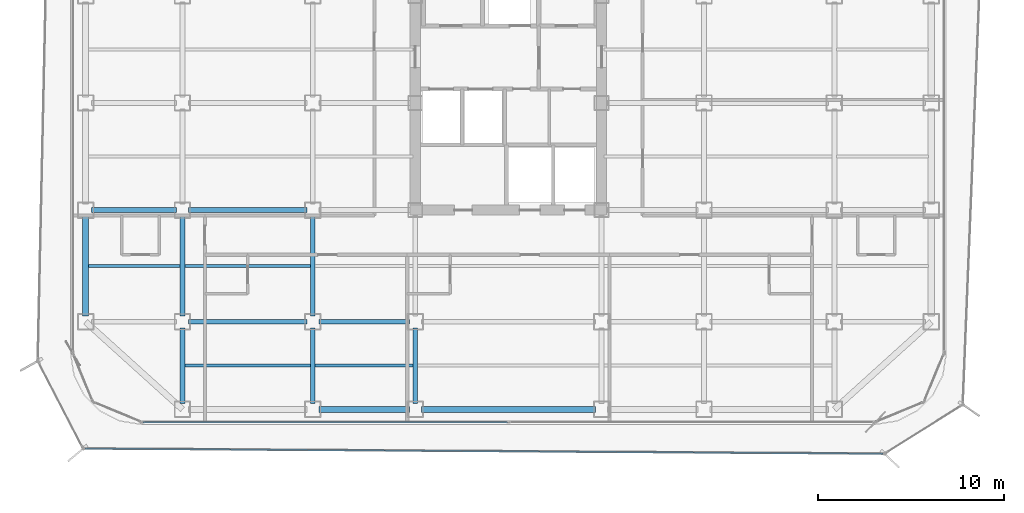
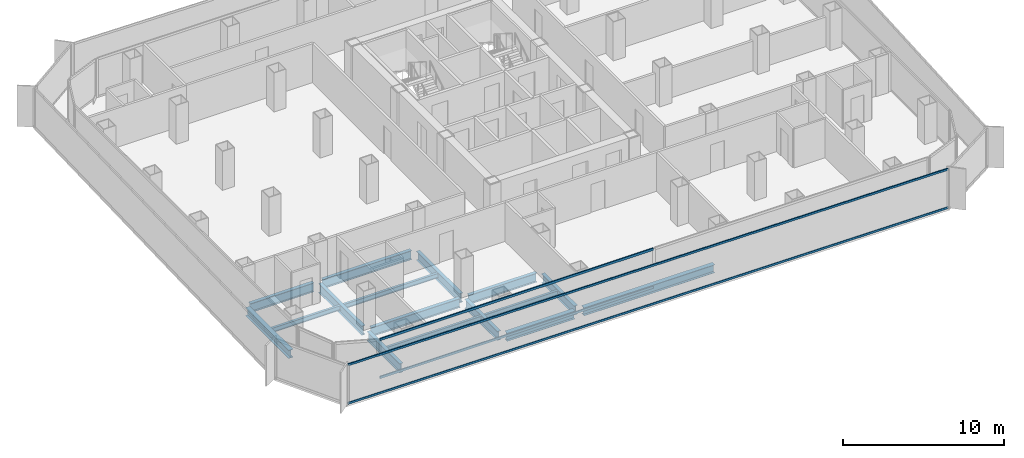
# One storey, part 3 of 21: 16 beams, 4 members, 2 elements without a shape of their own.
"""IFC4 building model written with IfcOpenShell, lengths in metres."""

from ifc_helpers import new_model, si_unit, direction, frame, origin, origin_2d, place, context, subcontext, project, spatial, hollow_rectangle, i_section, extrude, source, transform, mapped, material, layer, layer_set, material_profile, profile_set, type_object, element, aggregate, save


model = new_model("IFC4")

# Units and contexts
model_context = context("Model", 3, precision=1e-05, world=origin(), true_north=direction((0.0, 1.0)))
body_context = subcontext(model_context, "Body", "Model", "MODEL_VIEW")
ifc_project = project(units=[si_unit("LENGTHUNIT", "METRE"), si_unit("AREAUNIT", "SQUARE_METRE"), si_unit("VOLUMEUNIT", "CUBIC_METRE"), si_unit("PLANEANGLEUNIT", "RADIAN"), si_unit("MASSUNIT", "GRAM", prefix="KILO")], contexts=[model_context])

# Site, building, storey
site_placement = place(None, origin())
site = spatial("IfcSite", under=ifc_project, at=site_placement, CompositionType="ELEMENT")
building_placement = place(site_placement, origin())
building = spatial("IfcBuilding", under=site, at=building_placement, Name="Kolveth Station Tower", CompositionType="ELEMENT")
storey_placement = place(building_placement, frame((0.0, 0.0, 121.5)))
storey = spatial("IfcBuildingStorey", under=building, at=storey_placement, Name="L33", CompositionType="ELEMENT", Elevation=121.5)

# Beams
ifc_material_1 = material(Name="Steel S355", Category="steel")
ifc_material_profile_1 = material_profile(ifc_material_1, i_section(OverallWidth=0.323974609375, OverallDepth=0.611083984375, WebThickness=0.0126953125, FlangeThickness=0.01904296875, at=origin_2d()), Name="W610x155")
ifc_profile_set_1 = profile_set([ifc_material_profile_1], Name="Steel S355")
beam_type_1 = type_object("IfcBeamType", Name="Beam_SP2", PredefinedType="SPANDREL", material=ifc_profile_set_1)
shared_shape_1 = source(origin(), body_context, "Body", "SweptSolid", [
    extrude(i_section(OverallWidth=0.323974609375, OverallDepth=0.611083984375, WebThickness=0.0126953125, FlangeThickness=0.01904296875, at=origin_2d()), origin(), (0.0, 0.0, 1.0), 4.85986328125),
])
beam_1_placement = place(storey_placement, frame((13.320068359375, 0.800048828125, -0.555419921875), z_axis=(1.0, 0.0, 0.0), x_axis=(0.0, 1.0, 0.0)))
element("IfcBeam", 1, at=beam_1_placement, inside=storey, type_object=beam_type_1, Name="L33 Perimeter Spandrel BM-L33-PS-2", PredefinedType="SPANDREL", context=body_context, shape_type="MappedRepresentation", body=[
    mapped(shared_shape_1, transform((0.0, 0.0, 0.0), x_axis=(1.0, 0.0, 0.0), y_axis=(0.0, 1.0, 0.0), z_axis=(0.0, 0.0, 1.0), scale=1.0)),
])
shared_shape_2 = source(origin(), body_context, "Body", "SweptSolid", [
    extrude(i_section(OverallWidth=0.323974609375, OverallDepth=0.611083984375, WebThickness=0.0126953125, FlangeThickness=0.01904296875, at=origin_2d()), origin(), (0.0, 0.0, 1.0), 9.35986328125),
])
beam_2_placement = place(storey_placement, frame((18.820068359375, 0.800048828125, -0.555419921875), z_axis=(1.0, 0.0, 0.0), x_axis=(0.0, 1.0, 0.0)))
element("IfcBeam", 2, at=beam_2_placement, inside=storey, type_object=beam_type_1, Name="L33 Perimeter Spandrel BM-L33-PS-3", PredefinedType="SPANDREL", context=body_context, shape_type="MappedRepresentation", body=[
    mapped(shared_shape_2, transform((0.0, 0.0, 0.0), x_axis=(1.0, 0.0, 0.0), y_axis=(0.0, 1.0, 0.0), z_axis=(0.0, 0.0, 1.0), scale=1.0)),
])
shared_shape_3 = source(origin(), body_context, "Body", "SweptSolid", [
    extrude(i_section(OverallWidth=0.323974609375, OverallDepth=0.611083984375, WebThickness=0.0126953125, FlangeThickness=0.01904296875, at=origin_2d()), origin(), (0.0, 0.0, 1.0), 5.35986328125),
])
beam_3_placement = place(storey_placement, frame((0.800048828125, 5.820068359375, -0.555419921875), z_axis=(0.0, 1.0, 0.0), x_axis=(-1.0, 0.0, 0.0)))
element("IfcBeam", 3, at=beam_3_placement, inside=storey, type_object=beam_type_1, Name="L33 Perimeter Spandrel BM-L33-PW-1", PredefinedType="SPANDREL", context=body_context, shape_type="MappedRepresentation", body=[
    mapped(shared_shape_3, transform((0.0, 0.0, 0.0), x_axis=(1.0, 0.0, 0.0), y_axis=(0.0, 1.0, 0.0), z_axis=(0.0, 0.0, 1.0), scale=1.0)),
])
ifc_material_profile_2 = material_profile(ifc_material_1, i_section(OverallWidth=0.25390625, OverallDepth=0.68798828125, WebThickness=0.01318359375, FlangeThickness=0.02099609375, at=origin_2d()), Name="W690x152")
ifc_profile_set_2 = profile_set([ifc_material_profile_2], Name="Steel S355")
beam_type_2 = type_object("IfcBeamType", Name="Beam_B4", PredefinedType="BEAM", material=ifc_profile_set_2)
shared_shape_4 = source(origin(), body_context, "Body", "SweptSolid", [
    extrude(i_section(OverallWidth=0.25390625, OverallDepth=0.68798828125, WebThickness=0.01318359375, FlangeThickness=0.02099609375, at=origin_2d()), origin(), (0.0, 0.0, 1.0), 4.559814453125),
])
beam_4_placement = place(storey_placement, frame((1.1201171875, 11.5, -0.593994140625), z_axis=(1.0, 0.0, 0.0), x_axis=(0.0, 1.0, 0.0)))
element("IfcBeam", 4, at=beam_4_placement, inside=storey, type_object=beam_type_2, Name="L33 Primary Girder BM-L33-GY115-1", PredefinedType="BEAM", context=body_context, shape_type="MappedRepresentation", body=[
    mapped(shared_shape_4, transform((0.0, 0.0, 0.0), x_axis=(1.0, 0.0, 0.0), y_axis=(0.0, 1.0, 0.0), z_axis=(0.0, 0.0, 1.0), scale=1.0)),
])
shared_shape_5 = source(origin(), body_context, "Body", "SweptSolid", [
    extrude(i_section(OverallWidth=0.25390625, OverallDepth=0.68798828125, WebThickness=0.01318359375, FlangeThickness=0.02099609375, at=origin_2d()), origin(), (0.0, 0.0, 1.0), 6.35986328125),
])
for number, where, z_axis, x_axis, name in (
    (5, (6.320068359375, 5.5, -0.593994140625), (1.0, 0.0, 0.0), (0.0, 1.0, 0.0), "L33 Primary Girder BM-L33-GY55-2"),
    (6, (6.320068359375, 11.5, -0.593994140625), (1.0, 0.0, 0.0), (0.0, 1.0, 0.0), "L33 Primary Girder BM-L33-GY115-2"),
):
    element("IfcBeam", number, at=place(storey_placement, frame(where, z_axis=z_axis, x_axis=x_axis)), inside=storey, type_object=beam_type_2, Name=name, PredefinedType="BEAM", context=body_context, shape_type="MappedRepresentation", body=[
        mapped(shared_shape_5, transform((0.0, 0.0, 0.0), x_axis=(1.0, 0.0, 0.0), y_axis=(0.0, 1.0, 0.0), z_axis=(0.0, 0.0, 1.0), scale=1.0)),
    ])
shared_shape_6 = source(origin(), body_context, "Body", "SweptSolid", [
    extrude(i_section(OverallWidth=0.25390625, OverallDepth=0.68798828125, WebThickness=0.01318359375, FlangeThickness=0.02099609375, at=origin_2d()), origin(), (0.0, 0.0, 1.0), 4.85986328125),
])
beam_5_placement = place(storey_placement, frame((13.320068359375, 5.5, -0.593994140625), z_axis=(1.0, 0.0, 0.0), x_axis=(0.0, 1.0, 0.0)))
element("IfcBeam", 7, at=beam_5_placement, inside=storey, type_object=beam_type_2, Name="L33 Primary Girder BM-L33-GY55-3", PredefinedType="BEAM", context=body_context, shape_type="MappedRepresentation", body=[
    mapped(shared_shape_6, transform((0.0, 0.0, 0.0), x_axis=(1.0, 0.0, 0.0), y_axis=(0.0, 1.0, 0.0), z_axis=(0.0, 0.0, 1.0), scale=1.0)),
])
shared_shape_7 = source(origin(), body_context, "Body", "SweptSolid", [
    extrude(i_section(OverallWidth=0.25390625, OverallDepth=0.68798828125, WebThickness=0.01318359375, FlangeThickness=0.02099609375, at=origin_2d()), origin(), (0.0, 0.0, 1.0), 4.059814453125),
])
for number, where, z_axis, x_axis, name in (
    (8, (6.0, 1.1201171875, -0.593994140625), (0.0, 1.0, 0.0), (-1.0, 0.0, 0.0), "L33 Primary Girder BM-L33-GX60-1"),
    (9, (13.0, 1.1201171875, -0.593994140625), (0.0, 1.0, 0.0), (-1.0, 0.0, 0.0), "L33 Primary Girder BM-L33-GX130-1"),
    (10, (18.5, 1.1201171875, -0.593994140625), (0.0, 1.0, 0.0), (-1.0, 0.0, 0.0), "L33 Primary Girder BM-L33-GX185-1"),
):
    element("IfcBeam", number, at=place(storey_placement, frame(where, z_axis=z_axis, x_axis=x_axis)), inside=storey, type_object=beam_type_2, Name=name, PredefinedType="BEAM", context=body_context, shape_type="MappedRepresentation", body=[
        mapped(shared_shape_7, transform((0.0, 0.0, 0.0), x_axis=(1.0, 0.0, 0.0), y_axis=(0.0, 1.0, 0.0), z_axis=(0.0, 0.0, 1.0), scale=1.0)),
    ])
shared_shape_8 = source(origin(), body_context, "Body", "SweptSolid", [
    extrude(i_section(OverallWidth=0.25390625, OverallDepth=0.68798828125, WebThickness=0.01318359375, FlangeThickness=0.02099609375, at=origin_2d()), origin(), (0.0, 0.0, 1.0), 5.35986328125),
])
for number, where, z_axis, x_axis, name in (
    (11, (6.0, 5.820068359375, -0.593994140625), (0.0, 1.0, 0.0), (-1.0, 0.0, 0.0), "L33 Primary Girder BM-L33-GX60-2"),
    (12, (13.0, 5.820068359375, -0.593994140625), (0.0, 1.0, 0.0), (-1.0, 0.0, 0.0), "L33 Primary Girder BM-L33-GX130-2"),
):
    element("IfcBeam", number, at=place(storey_placement, frame(where, z_axis=z_axis, x_axis=x_axis)), inside=storey, type_object=beam_type_2, Name=name, PredefinedType="BEAM", context=body_context, shape_type="MappedRepresentation", body=[
        mapped(shared_shape_8, transform((0.0, 0.0, 0.0), x_axis=(1.0, 0.0, 0.0), y_axis=(0.0, 1.0, 0.0), z_axis=(0.0, 0.0, 1.0), scale=1.0)),
    ])
ifc_material_profile_3 = material_profile(ifc_material_1, i_section(OverallWidth=0.1708984375, OverallDepth=0.35205078125, WebThickness=0.0068359375, FlangeThickness=0.009765625, at=origin_2d()), Name="W360x44")
ifc_profile_set_3 = profile_set([ifc_material_profile_3], Name="Steel S355")
beam_type_3 = type_object("IfcBeamType", Name="Beam_J2", PredefinedType="JOIST", material=ifc_profile_set_3)
shared_shape_9 = source(origin(), body_context, "Body", "SweptSolid", [
    extrude(i_section(OverallWidth=0.1708984375, OverallDepth=0.35205078125, WebThickness=0.0068359375, FlangeThickness=0.009765625, at=origin_2d()), origin(), (0.0, 0.0, 1.0), 4.9150390625),
])
beam_6_placement = place(storey_placement, frame((0.9599609375, 8.5, -0.426025390625), z_axis=(1.0, 0.0, 0.0), x_axis=(0.0, 1.0, 0.0)))
element("IfcBeam", 13, at=beam_6_placement, inside=storey, type_object=beam_type_3, Name="L33 Secondary Joist JST-L33-1-2", PredefinedType="JOIST", context=body_context, shape_type="MappedRepresentation", body=[
    mapped(shared_shape_9, transform((0.0, 0.0, 0.0), x_axis=(1.0, 0.0, 0.0), y_axis=(0.0, 1.0, 0.0), z_axis=(0.0, 0.0, 1.0), scale=1.0)),
])
shared_shape_10 = source(origin(), body_context, "Body", "SweptSolid", [
    extrude(i_section(OverallWidth=0.1708984375, OverallDepth=0.35205078125, WebThickness=0.0068359375, FlangeThickness=0.009765625, at=origin_2d()), origin(), (0.0, 0.0, 1.0), 6.75),
])
for number, where, z_axis, x_axis, name in (
    (14, (6.125, 3.14990234375, -0.426025390625), (1.0, 0.0, 0.0), (0.0, 1.0, 0.0), "L33 Secondary Joist JST-L33-2-1"),
    (15, (6.125, 8.5, -0.426025390625), (1.0, 0.0, 0.0), (0.0, 1.0, 0.0), "L33 Secondary Joist JST-L33-2-2"),
):
    element("IfcBeam", number, at=place(storey_placement, frame(where, z_axis=z_axis, x_axis=x_axis)), inside=storey, type_object=beam_type_3, Name=name, PredefinedType="JOIST", context=body_context, shape_type="MappedRepresentation", body=[
        mapped(shared_shape_10, transform((0.0, 0.0, 0.0), x_axis=(1.0, 0.0, 0.0), y_axis=(0.0, 1.0, 0.0), z_axis=(0.0, 0.0, 1.0), scale=1.0)),
    ])
shared_shape_11 = source(origin(), body_context, "Body", "SweptSolid", [
    extrude(i_section(OverallWidth=0.1708984375, OverallDepth=0.35205078125, WebThickness=0.0068359375, FlangeThickness=0.009765625, at=origin_2d()), origin(), (0.0, 0.0, 1.0), 5.25),
])
beam_7_placement = place(storey_placement, frame((13.125, 3.14990234375, -0.426025390625), z_axis=(1.0, 0.0, 0.0), x_axis=(0.0, 1.0, 0.0)))
element("IfcBeam", 16, at=beam_7_placement, inside=storey, type_object=beam_type_3, Name="L33 Secondary Joist JST-L33-3-1", PredefinedType="JOIST", context=body_context, shape_type="MappedRepresentation", body=[
    mapped(shared_shape_11, transform((0.0, 0.0, 0.0), x_axis=(1.0, 0.0, 0.0), y_axis=(0.0, 1.0, 0.0), z_axis=(0.0, 0.0, 1.0), scale=1.0)),
])

# Curtain wall, members
ifc_material_2 = material(Name="Aluminium 6063-T6 and low-E dark glass", Category="aluminium")
ifc_layer_1 = layer(ifc_material_2, 0.18994140625)
ifc_layer_set_1 = layer_set([ifc_layer_1], Name="Aluminium 6063-T6 and low-E dark glass")
curtain_wall_type_1 = type_object("IfcCurtainWallType", Name="CurtainWall_CW-Z2", PredefinedType="NOTDEFINED", material=ifc_layer_set_1)
curtain_wall_1_placement = place(storey_placement, origin())
curtain_wall_1 = element("IfcCurtainWall", 17, at=curtain_wall_1_placement, inside=storey, type_object=curtain_wall_type_1, Name="L33 Inner Thermal Curtain Wall 12", PredefinedType="NOTDEFINED")
ifc_material_3 = material(Name="Black anodized aluminium 6063-T6", Category="aluminium")
ifc_material_profile_4 = material_profile(ifc_material_3, hollow_rectangle(XDim=0.080078125, YDim=0.169921875, WallThickness=0.0048828125, at=origin_2d()), Name="ALU-80x170x5")
ifc_profile_set_4 = profile_set([ifc_material_profile_4], Name="Black anodized aluminium 6063-T6")
member_type_1 = type_object("IfcMemberType", Name="Transom_TR2", PredefinedType="USERDEFINED", material=ifc_profile_set_4)
shared_shape_12 = source(origin(), body_context, "Body", "SweptSolid", [
    extrude(hollow_rectangle(XDim=0.080078125, YDim=0.169921875, WallThickness=0.0048828125, at=origin_2d()), origin(), (0.0, 0.0, 1.0), 19.580078125),
])
member_1_placement = place(storey_placement, frame((3.8798828125, 0.1201171875, 0.0400390625), z_axis=(1.0, 0.0, 0.0), x_axis=(0.0, 1.0, 0.0)))
member_1 = element("IfcMember", 18, at=member_1_placement, type_object=member_type_1, Name="CW-Z2 transom 1.1", ObjectType="TRANSOM", PredefinedType="USERDEFINED", context=body_context, shape_type="MappedRepresentation", body=[
    mapped(shared_shape_12, transform((0.0, 0.0, 0.0), x_axis=(1.0, 0.0, 0.0), y_axis=(0.0, 1.0, 0.0), z_axis=(0.0, 0.0, 1.0), scale=1.0)),
])
member_2_placement = place(storey_placement, frame((3.8798828125, 0.1201171875, 2.909912109375), z_axis=(1.0, 0.0, 0.0), x_axis=(0.0, 1.0, 0.0)))
member_2 = element("IfcMember", 19, at=member_2_placement, type_object=member_type_1, Name="CW-Z2 transom 1.2", ObjectType="TRANSOM", PredefinedType="USERDEFINED", context=body_context, shape_type="MappedRepresentation", body=[
    mapped(shared_shape_12, transform((0.0, 0.0, 0.0), x_axis=(1.0, 0.0, 0.0), y_axis=(0.0, 1.0, 0.0), z_axis=(0.0, 0.0, 1.0), scale=1.0)),
])
aggregate(curtain_wall_1, [member_1, member_2])

ifc_material_4 = material(Name="Black anodized aluminium 6063-T6 and dark solar glass", Category="aluminium")
ifc_layer_2 = layer(ifc_material_4, 0.159912109375)
ifc_layer_set_2 = layer_set([ifc_layer_2], Name="Black anodized aluminium 6063-T6 and dark solar glass")
curtain_wall_type_2 = type_object("IfcCurtainWallType", Name="OUTER SKIN CW-OS", PredefinedType="NOTDEFINED", material=ifc_layer_set_2)
curtain_wall_2_placement = place(storey_placement, origin())
curtain_wall_2 = element("IfcCurtainWall", 20, at=curtain_wall_2_placement, inside=storey, type_object=curtain_wall_type_2, Name="L33 Outer Ventilated Skin Curtain Wall 8", PredefinedType="NOTDEFINED")
ifc_material_profile_5 = material_profile(ifc_material_3, hollow_rectangle(XDim=0.080078125, YDim=0.14990234375, WallThickness=0.0048828125, at=origin_2d()), Name="ALU-80x150x5")
ifc_profile_set_5 = profile_set([ifc_material_profile_5], Name="Black anodized aluminium 6063-T6")
member_type_2 = type_object("IfcMemberType", Name="Transom_TR-OS", PredefinedType="USERDEFINED", material=ifc_profile_set_5)
shared_shape_13 = source(origin(), body_context, "Body", "SweptSolid", [
    extrude(hollow_rectangle(XDim=0.080078125, YDim=0.14990234375, WallThickness=0.0048828125, at=origin_2d()), origin(), (0.0, 0.0, 1.0), 42.841064453125),
])
member_3_placement = place(storey_placement, frame((0.76318359375, -1.30419921875, 0.0400390625), z_axis=(0.999979044771, -0.0064737948, 0.0), x_axis=(0.0064737948, 0.999979044771, 0.0)))
member_3 = element("IfcMember", 21, at=member_3_placement, type_object=member_type_2, Name="CW-OS transom 1.1", ObjectType="TRANSOM", PredefinedType="USERDEFINED", context=body_context, shape_type="MappedRepresentation", body=[
    mapped(shared_shape_13, transform((0.0, 0.0, 0.0), x_axis=(1.0, 0.0, 0.0), y_axis=(0.0, 1.0, 0.0), z_axis=(0.0, 0.0, 1.0), scale=1.0)),
])
member_4_placement = place(storey_placement, frame((0.76318359375, -1.30419921875, 2.949951171875), z_axis=(0.999979044771, -0.0064737948, 0.0), x_axis=(0.0064737948, 0.999979044771, 0.0)))
member_4 = element("IfcMember", 22, at=member_4_placement, type_object=member_type_2, Name="CW-OS transom 1.2", ObjectType="TRANSOM", PredefinedType="USERDEFINED", context=body_context, shape_type="MappedRepresentation", body=[
    mapped(shared_shape_13, transform((0.0, 0.0, 0.0), x_axis=(1.0, 0.0, 0.0), y_axis=(0.0, 1.0, 0.0), z_axis=(0.0, 0.0, 1.0), scale=1.0)),
])
aggregate(curtain_wall_2, [member_3, member_4])

save(model, "model.ifc")
